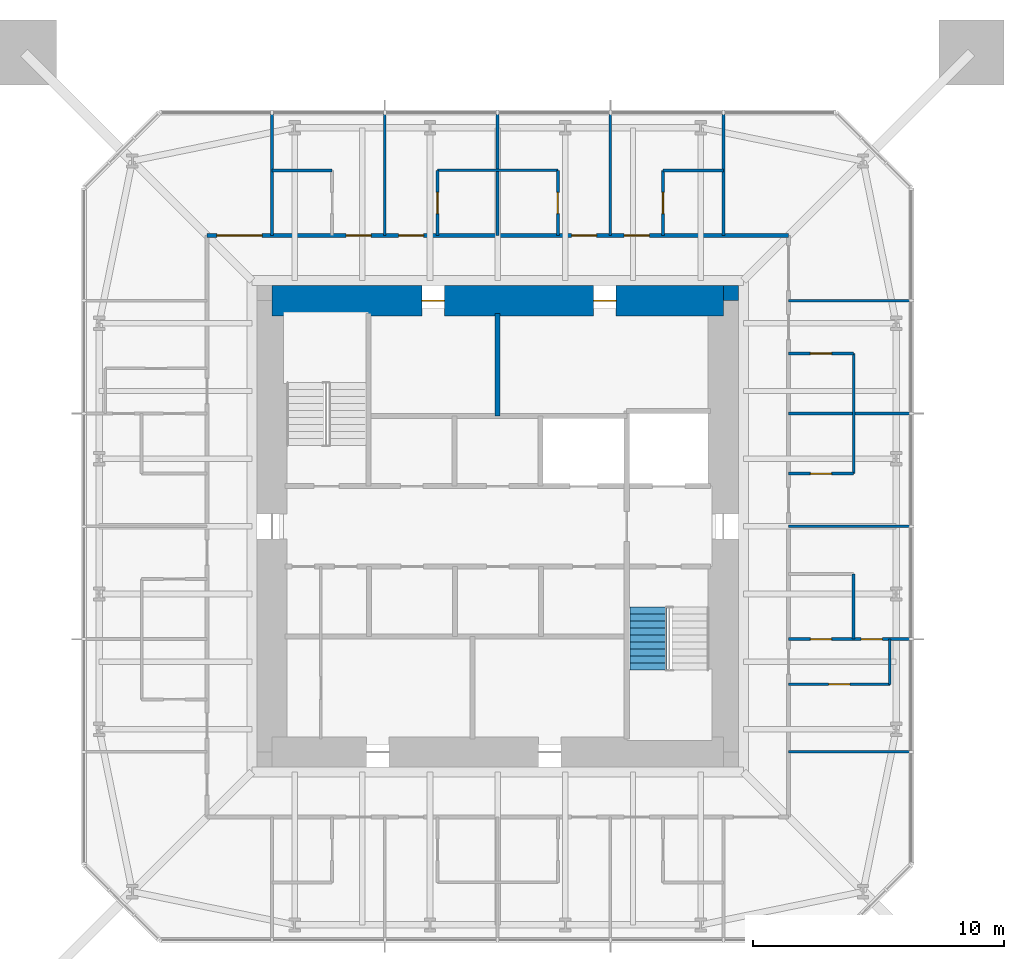
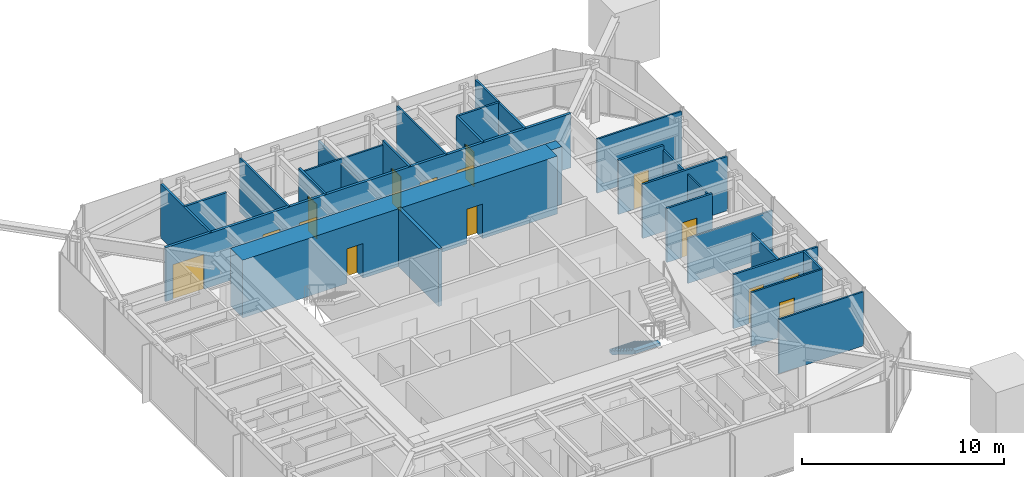
# One storey, part 8 of 10: 26 walls, 15 doors, 1 stair flight, 15 openings, 1 element without a shape of its own.
"""IFC4 building model written with IfcOpenShell, lengths in metres."""

from ifc_helpers import new_model, si_unit, direction, frame, frame_2d, origin, place, context, subcontext, project, spatial, polyline, rectangle, outline, extrude, material, layer, layer_set, constituent, constituent_set, type_object, element, fill, aggregate, save


model = new_model("IFC4")

# Units and contexts
model_context = context("Model", 3, precision=1e-05, world=origin(), true_north=direction((0.0, 1.0)))
body_context = subcontext(model_context, "Body", "Model", "MODEL_VIEW")
ifc_project = project(units=[si_unit("LENGTHUNIT", "METRE"), si_unit("AREAUNIT", "SQUARE_METRE"), si_unit("VOLUMEUNIT", "CUBIC_METRE"), si_unit("PLANEANGLEUNIT", "RADIAN"), si_unit("MASSUNIT", "GRAM", prefix="KILO")], contexts=[model_context])

# Site, building, storey
site_placement = place(None, origin())
site = spatial("IfcSite", under=ifc_project, at=site_placement, CompositionType="ELEMENT")
building_placement = place(site_placement, origin())
building = spatial("IfcBuilding", under=site, at=building_placement, Name="Iwan Alto Co-Living Towers", CompositionType="ELEMENT")
storey_placement = place(building_placement, frame((0.0, 0.0, 218.5)))
storey = spatial("IfcBuildingStorey", under=building, at=storey_placement, Name="L59", CompositionType="ELEMENT", Elevation=218.5)

# Wall, openings, doors
ifc_material_1 = material(Name="Gypsum board")
ifc_layer_1 = layer(ifc_material_1, 0.02490234375, Name="Board", Category="Finish")
ifc_material_2 = material(Name="Steel ASTM A1003 ST33H cold-formed studs", Category="steel")
ifc_layer_2 = layer(ifc_material_2, 0.10009765625, Name="Studs", Category="Framing")
ifc_layer_3 = layer(ifc_material_1, 0.02490234375, Name="Board", Category="Finish")
ifc_layer_set_1 = layer_set([ifc_layer_1, ifc_layer_2, ifc_layer_3], Name="CORRIDOR WALL 150")
wall_type_1 = type_object("IfcWallType", Name="CORRIDOR WALL 150", PredefinedType="PARTITIONING", material=ifc_layer_set_1)
wall_1_placement = place(storey_placement, frame((-11.60009765625, 11.60009765625, 0.0), z_axis=(0.0, 0.0, 1.0), x_axis=(1.0, 0.0, 0.0)))
wall_1 = element("IfcWall", 1, at=wall_1_placement, inside=storey, type_object=wall_type_1, Name="Partition L59", PredefinedType="PARTITIONING", context=body_context, shape_type="SweptSolid", body=[
    extrude(rectangle(XDim=23.2001953125, YDim=0.14990234375, at=frame_2d((11.60009765625, 0.0))), origin(), (0.0, 0.0, 1.0), 3.27001953125),
])
opening_1_placement = place(wall_1_placement, frame((16.64990234375, 0.0, 0.0)))
opening_1 = element("IfcOpeningElement", 2, at=opening_1_placement, cuts=wall_1, Name="Opening D3", PredefinedType="OPENING", context=body_context, shape_type="SweptSolid", body=[
    extrude(rectangle(XDim=1.0, YDim=2.10009765625, at=frame_2d((0.5, 1.050048828125))), frame((0.0, 0.0849609375, 0.0), z_axis=(0.0, -1.0, 0.0), x_axis=(1.0, 0.0, 0.0)), (0.0, 0.0, 1.0), 0.169921875),
])
opening_2_placement = place(wall_1_placement, frame((14.550048828125, 0.0, 0.0)))
opening_2 = element("IfcOpeningElement", 3, at=opening_2_placement, cuts=wall_1, Name="Opening D3", PredefinedType="OPENING", context=body_context, shape_type="SweptSolid", body=[
    extrude(rectangle(XDim=1.0, YDim=2.10009765625, at=frame_2d((0.5, 1.050048828125))), frame((0.0, 0.0849609375, 0.0), z_axis=(0.0, -1.0, 0.0), x_axis=(1.0, 0.0, 0.0)), (0.0, 0.0, 1.0), 0.169921875),
])
opening_3_placement = place(wall_1_placement, frame((7.64990234375, 0.0, 0.0)))
opening_3 = element("IfcOpeningElement", 4, at=opening_3_placement, cuts=wall_1, Name="Opening D3", PredefinedType="OPENING", context=body_context, shape_type="SweptSolid", body=[
    extrude(rectangle(XDim=1.0, YDim=2.10009765625, at=frame_2d((0.5, 1.050048828125))), frame((0.0, 0.0849609375, 0.0), z_axis=(0.0, -1.0, 0.0), x_axis=(1.0, 0.0, 0.0)), (0.0, 0.0, 1.0), 0.169921875),
])
opening_4_placement = place(wall_1_placement, frame((5.550048828125, 0.0, 0.0)))
opening_4 = element("IfcOpeningElement", 5, at=opening_4_placement, cuts=wall_1, Name="Opening D3", PredefinedType="OPENING", context=body_context, shape_type="SweptSolid", body=[
    extrude(rectangle(XDim=1.0, YDim=2.10009765625, at=frame_2d((0.5, 1.050048828125))), frame((0.0, 0.0849609375, 0.0), z_axis=(0.0, -1.0, 0.0), x_axis=(1.0, 0.0, 0.0)), (0.0, 0.0, 1.0), 0.169921875),
])
opening_5_placement = place(wall_1_placement, frame((0.39990234375, 0.0, 0.0)))
opening_5 = element("IfcOpeningElement", 6, at=opening_5_placement, cuts=wall_1, Name="Opening D9", PredefinedType="OPENING", context=body_context, shape_type="SweptSolid", body=[
    extrude(rectangle(XDim=1.800048828125, YDim=2.10009765625, at=frame_2d((0.89990234375, 1.050048828125))), frame((0.0, 0.0849609375, 0.0), z_axis=(0.0, -1.0, 0.0), x_axis=(1.0, 0.0, 0.0)), (0.0, 0.0, 1.0), 0.169921875),
])
ifc_material_3 = material(Name="Steel frame with timber leaf", Category="steel")
door_type_1 = type_object("IfcDoorType", Name="FLAT ENTRANCE DOOR FD30S 1000X2100", OperationType="SINGLE_SWING_LEFT", PredefinedType="DOOR", material=ifc_material_3)
door_1_placement = place(opening_1_placement, origin())
door_1 = element("IfcDoor", 7, at=door_1_placement, inside=storey, type_object=door_type_1, Name="Studio door L59", OperationType="SINGLE_SWING_LEFT", OverallHeight=2.10009765625, OverallWidth=1.0, PredefinedType="DOOR", context=body_context, shape_type="SweptSolid", body=[
    extrude(rectangle(XDim=1.0, YDim=2.10009765625, at=frame_2d((0.5, 1.050048828125))), frame((0.0, 0.02490234375, 0.0), z_axis=(0.0, -1.0, 0.0), x_axis=(1.0, 0.0, 0.0)), (0.0, 0.0, 1.0), 0.050048828125),
])
fill(opening_1, door_1)
door_2_placement = place(opening_2_placement, origin())
door_2 = element("IfcDoor", 8, at=door_2_placement, inside=storey, type_object=door_type_1, Name="Studio door L59", OperationType="SINGLE_SWING_LEFT", OverallHeight=2.10009765625, OverallWidth=1.0, PredefinedType="DOOR", context=body_context, shape_type="SweptSolid", body=[
    extrude(rectangle(XDim=1.0, YDim=2.10009765625, at=frame_2d((0.5, 1.050048828125))), frame((0.0, 0.02490234375, 0.0), z_axis=(0.0, -1.0, 0.0), x_axis=(1.0, 0.0, 0.0)), (0.0, 0.0, 1.0), 0.050048828125),
])
fill(opening_2, door_2)
door_3_placement = place(opening_3_placement, origin())
door_3 = element("IfcDoor", 9, at=door_3_placement, inside=storey, type_object=door_type_1, Name="Studio door L59", OperationType="SINGLE_SWING_LEFT", OverallHeight=2.10009765625, OverallWidth=1.0, PredefinedType="DOOR", context=body_context, shape_type="SweptSolid", body=[
    extrude(rectangle(XDim=1.0, YDim=2.10009765625, at=frame_2d((0.5, 1.050048828125))), frame((0.0, 0.02490234375, 0.0), z_axis=(0.0, -1.0, 0.0), x_axis=(1.0, 0.0, 0.0)), (0.0, 0.0, 1.0), 0.050048828125),
])
fill(opening_3, door_3)
door_4_placement = place(opening_4_placement, origin())
door_4 = element("IfcDoor", 10, at=door_4_placement, inside=storey, type_object=door_type_1, Name="Studio door L59", OperationType="SINGLE_SWING_LEFT", OverallHeight=2.10009765625, OverallWidth=1.0, PredefinedType="DOOR", context=body_context, shape_type="SweptSolid", body=[
    extrude(rectangle(XDim=1.0, YDim=2.10009765625, at=frame_2d((0.5, 1.050048828125))), frame((0.0, 0.02490234375, 0.0), z_axis=(0.0, -1.0, 0.0), x_axis=(1.0, 0.0, 0.0)), (0.0, 0.0, 1.0), 0.050048828125),
])
fill(opening_4, door_4)
ifc_material_4 = material(Name="Steel frame with timber leaf", Category="steel")
door_type_2 = type_object("IfcDoorType", Name="LOUNGE DOOR FD30S 1800X2100", OperationType="DOUBLE_DOOR_SINGLE_SWING", PredefinedType="DOOR", material=ifc_material_4)
door_5_placement = place(opening_5_placement, origin())
door_5 = element("IfcDoor", 11, at=door_5_placement, inside=storey, type_object=door_type_2, Name="Courtyard lounge door L59", OperationType="DOUBLE_DOOR_SINGLE_SWING", OverallHeight=2.10009765625, OverallWidth=1.800048828125, PredefinedType="DOOR", context=body_context, shape_type="SweptSolid", body=[
    extrude(rectangle(XDim=1.800048828125, YDim=2.10009765625, at=frame_2d((0.89990234375, 1.050048828125))), frame((0.0, 0.02490234375, 0.0), z_axis=(0.0, -1.0, 0.0), x_axis=(1.0, 0.0, 0.0)), (0.0, 0.0, 1.0), 0.050048828125),
])
fill(opening_5, door_5)

# Wall
ifc_layer_4 = layer(ifc_material_1, 0.012451171875, Name="Board", Category="Finish")
ifc_layer_5 = layer(ifc_material_2, 0.074951171875, Name="Studs", Category="Framing")
ifc_layer_6 = layer(ifc_material_1, 0.012451171875, Name="Board", Category="Finish")
ifc_layer_set_2 = layer_set([ifc_layer_4, ifc_layer_5, ifc_layer_6], Name="PARTITION 100")
wall_type_2 = type_object("IfcWallType", Name="PARTITION 100", PredefinedType="PARTITIONING", material=ifc_layer_set_2)
wall_2_placement = place(storey_placement, frame((11.60009765625, -9.0, 0.0), z_axis=(0.0, 0.0, 1.0), x_axis=(1.0, 0.0, 0.0)))
element("IfcWall", 12, at=wall_2_placement, inside=storey, type_object=wall_type_2, Name="Partition L59", PredefinedType="PARTITIONING", context=body_context, shape_type="SweptSolid", body=[
    extrude(rectangle(XDim=4.83984375, YDim=0.10009765625, at=frame_2d((2.419921875, 0.0))), origin(), (0.0, 0.0, 1.0), 3.27001953125),
])

# Wall, opening, door
wall_3_placement = place(storey_placement, frame((11.60009765625, -6.300048828125, 0.0), z_axis=(0.0, 0.0, 1.0), x_axis=(1.0, 0.0, 0.0)))
wall_3 = element("IfcWall", 13, at=wall_3_placement, inside=storey, type_object=wall_type_2, Name="Partition L59", PredefinedType="PARTITIONING", context=body_context, shape_type="SweptSolid", body=[
    extrude(rectangle(XDim=4.0498046875, YDim=0.10009765625, at=frame_2d((2.02490234375, 0.0))), origin(), (0.0, 0.0, 1.0), 3.27001953125),
])
opening_6_placement = place(wall_3_placement, frame((1.60009765625, 0.0, 0.0)))
opening_6 = element("IfcOpeningElement", 14, at=opening_6_placement, cuts=wall_3, Name="Opening D2", PredefinedType="OPENING", context=body_context, shape_type="SweptSolid", body=[
    extrude(rectangle(XDim=0.85009765625, YDim=2.10009765625, at=frame_2d((0.425048828125, 1.050048828125))), frame((0.0, 0.06005859375, 0.0), z_axis=(0.0, -1.0, 0.0), x_axis=(1.0, 0.0, 0.0)), (0.0, 0.0, 1.0), 0.1201171875),
])
ifc_material_5 = material(Name="Timber leaf in steel frame", Category="steel")
door_type_3 = type_object("IfcDoorType", Name="ROOM DOOR 850X2100", OperationType="SINGLE_SWING_LEFT", PredefinedType="DOOR", material=ifc_material_5)
door_6_placement = place(opening_6_placement, frame((0.85009765625, 0.0, 0.0), z_axis=(0.0, 0.0, 1.0), x_axis=(-1.0, 0.0, 0.0)))
door_6 = element("IfcDoor", 15, at=door_6_placement, inside=storey, type_object=door_type_3, Name="Apartment foyer door L59", OperationType="SINGLE_SWING_RIGHT", OverallHeight=2.10009765625, OverallWidth=0.85009765625, PredefinedType="DOOR", context=body_context, shape_type="SweptSolid", body=[
    extrude(rectangle(XDim=0.85009765625, YDim=2.10009765625, at=frame_2d((0.425048828125, 1.050048828125))), frame((0.0, 0.02490234375, 0.0), z_axis=(0.0, -1.0, 0.0), x_axis=(1.0, 0.0, 0.0)), (0.0, 0.0, 1.0), 0.050048828125),
])
fill(opening_6, door_6)

# Walls
wall_4_placement = place(storey_placement, frame((11.60009765625, 0.0, 0.0), z_axis=(0.0, 0.0, 1.0), x_axis=(1.0, 0.0, 0.0)))
element("IfcWall", 16, at=wall_4_placement, inside=storey, type_object=wall_type_2, Name="Partition L59", PredefinedType="PARTITIONING", context=body_context, shape_type="SweptSolid", body=[
    extrude(rectangle(XDim=4.83984375, YDim=0.10009765625, at=frame_2d((2.419921875, 0.0))), origin(), (0.0, 0.0, 1.0), 2.736572265625),
])
wall_5_placement = place(storey_placement, frame((11.60009765625, 9.0, 0.0), z_axis=(0.0, 0.0, 1.0), x_axis=(1.0, 0.0, 0.0)))
element("IfcWall", 17, at=wall_5_placement, inside=storey, type_object=wall_type_2, Name="Partition L59", PredefinedType="PARTITIONING", context=body_context, shape_type="SweptSolid", body=[
    extrude(rectangle(XDim=4.83984375, YDim=0.10009765625, at=frame_2d((2.419921875, 0.0))), origin(), (0.0, 0.0, 1.0), 3.27001953125),
])
wall_6_placement = place(storey_placement, frame((-2.39990234375, 14.199951171875, 0.0), z_axis=(0.0, 0.0, 1.0), x_axis=(1.0, 0.0, 0.0)))
element("IfcWall", 18, at=wall_6_placement, inside=storey, type_object=wall_type_2, Name="Partition L59", PredefinedType="PARTITIONING", context=body_context, shape_type="SweptSolid", body=[
    extrude(rectangle(XDim=4.7998046875, YDim=0.10009765625, at=frame_2d((2.39990234375, 0.0))), origin(), (0.0, 0.0, 1.0), 3.0),
])
wall_7_placement = place(storey_placement, frame((15.64990234375, -6.300048828125, 0.0), z_axis=(0.0, 0.0, 1.0), x_axis=(0.0, 1.0, 0.0)))
element("IfcWall", 19, at=wall_7_placement, inside=storey, type_object=wall_type_2, Name="Partition L59", PredefinedType="PARTITIONING", context=body_context, shape_type="SweptSolid", body=[
    extrude(rectangle(XDim=1.800048828125, YDim=0.10009765625, at=frame_2d((0.89990234375, 0.0))), origin(), (0.0, 0.0, 1.0), 3.27001953125),
])
wall_8_placement = place(storey_placement, frame((14.199951171875, 2.10009765625, 0.0), z_axis=(0.0, 0.0, 1.0), x_axis=(0.0, 1.0, 0.0)))
element("IfcWall", 20, at=wall_8_placement, inside=storey, type_object=wall_type_2, Name="Partition L59", PredefinedType="PARTITIONING", context=body_context, shape_type="SweptSolid", body=[
    extrude(rectangle(XDim=4.7998046875, YDim=0.10009765625, at=frame_2d((2.39990234375, 0.0))), origin(), (0.0, 0.0, 1.0), 3.0),
])
for number, where, z_axis, x_axis, name in (
    (21, (4.5, 11.60009765625, 0.0), (0.0, 0.0, 1.0), (0.0, 1.0, 0.0), "Partition L59"),
    (22, (-4.5, 11.60009765625, 0.0), (0.0, 0.0, 1.0), (0.0, 1.0, 0.0), "Partition L59"),
):
    element("IfcWall", number, at=place(storey_placement, frame(where, z_axis=z_axis, x_axis=x_axis)), inside=storey, type_object=wall_type_2, Name=name, PredefinedType="PARTITIONING", context=body_context, shape_type="SweptSolid", body=[
        extrude(rectangle(XDim=4.83984375, YDim=0.10009765625, at=frame_2d((2.419921875, 0.0))), origin(), (0.0, 0.0, 1.0), 3.27001953125),
    ])
ifc_material_6 = material(Name="Concrete f'c 70 MPa", Category="concrete")
ifc_layer_7 = layer(ifc_material_6, 0.199951171875)
ifc_layer_set_3 = layer_set([ifc_layer_7], Name="SHAFT WALL 200")
wall_type_3 = type_object("IfcWallType", Name="SHAFT WALL 200", PredefinedType="SOLIDWALL", material=ifc_layer_set_3)
wall_9_placement = place(storey_placement, frame((0.0, 4.39990234375, 0.0), z_axis=(0.0, 0.0, 1.0), x_axis=(0.0, 1.0, 0.0)))
element("IfcWall", 23, at=wall_9_placement, inside=storey, type_object=wall_type_3, Name="Shaft wall L59", PredefinedType="SOLIDWALL", context=body_context, shape_type="SweptSolid", body=[
    extrude(rectangle(XDim=4.090087890625, YDim=0.199951171875, at=frame_2d((2.044921875, 0.0))), origin(), (0.0, 0.0, 1.0), 3.5),
])
ifc_material_7 = material(Name="Concrete f'c 70 MPa", Category="concrete")
ifc_layer_8 = layer(ifc_material_7, 0.60009765625)
ifc_layer_set_4 = layer_set([ifc_layer_8], Name="T1 CORE CORNER FILL 600")
wall_type_4 = type_object("IfcWallType", Name="T1 CORE CORNER FILL 600", PredefinedType="SOLIDWALL", material=ifc_layer_set_4)
wall_10_placement = place(storey_placement, frame((9.0, 9.300048828125, 0.0), z_axis=(0.0, 0.0, 1.0), x_axis=(1.0, 0.0, 0.0)))
element("IfcWall", 24, at=wall_10_placement, inside=storey, type_object=wall_type_4, Name="T1 core corner NE L59", PredefinedType="SOLIDWALL", context=body_context, shape_type="SweptSolid", body=[
    extrude(rectangle(XDim=0.60009765625, YDim=0.60009765625, at=frame_2d((0.300048828125, 0.0))), origin(), (0.0, 0.0, 1.0), 3.5),
])

# Wall, openings, doors
ifc_material_8 = material(Name="Concrete f'c 70 MPa", Category="concrete")
ifc_layer_9 = layer(ifc_material_8, 1.199951171875)
ifc_layer_set_5 = layer_set([ifc_layer_9], Name="T1 CORE WALL 1200")
wall_type_5 = type_object("IfcWallType", Name="T1 CORE WALL 1200", PredefinedType="SHEAR", material=ifc_layer_set_5)
wall_11_placement = place(storey_placement, frame((9.0, 9.0, 0.0), z_axis=(0.0, 0.0, 1.0), x_axis=(-1.0, 0.0, 0.0)))
wall_11 = element("IfcWall", 25, at=wall_11_placement, inside=storey, type_object=wall_type_5, Name="T1 core wall N L59", PredefinedType="SHEAR", context=body_context, shape_type="SweptSolid", body=[
    extrude(rectangle(XDim=18.0, YDim=1.199951171875, at=frame_2d((9.0, 0.0))), origin(), (0.0, 0.0, 1.0), 3.5),
])
opening_7_placement = place(wall_11_placement, frame((11.125, 0.0, 0.0)))
opening_7 = element("IfcOpeningElement", 26, at=opening_7_placement, cuts=wall_11, Name="Opening D8", PredefinedType="OPENING", context=body_context, shape_type="SweptSolid", body=[
    extrude(rectangle(XDim=0.89990234375, YDim=2.10009765625, at=frame_2d((0.449951171875, 1.050048828125))), frame((0.0, 0.60986328125, 0.0), z_axis=(0.0, -1.0, 0.0), x_axis=(1.0, 0.0, 0.0)), (0.0, 0.0, 1.0), 1.219970703125),
])
opening_8_placement = place(wall_11_placement, frame((4.27490234375, 0.0, 0.0)))
opening_8 = element("IfcOpeningElement", 27, at=opening_8_placement, cuts=wall_11, Name="Opening D8", PredefinedType="OPENING", context=body_context, shape_type="SweptSolid", body=[
    extrude(rectangle(XDim=0.89990234375, YDim=2.10009765625, at=frame_2d((0.449951171875, 1.050048828125))), frame((0.0, 0.60986328125, 0.0), z_axis=(0.0, -1.0, 0.0), x_axis=(1.0, 0.0, 0.0)), (0.0, 0.0, 1.0), 1.219970703125),
])
ifc_material_9 = material(Name="Steel frame with timber leaf", Category="steel")
door_type_4 = type_object("IfcDoorType", Name="RISER DOOR FD120 900X2100", OperationType="SINGLE_SWING_LEFT", PredefinedType="DOOR", material=ifc_material_9)
door_7_placement = place(opening_7_placement, origin())
door_7 = element("IfcDoor", 28, at=door_7_placement, inside=storey, type_object=door_type_4, Name="Electrical riser core door L59", OperationType="SINGLE_SWING_RIGHT", OverallHeight=2.10009765625, OverallWidth=0.89990234375, PredefinedType="DOOR", context=body_context, shape_type="SweptSolid", body=[
    extrude(rectangle(XDim=0.89990234375, YDim=2.10009765625, at=frame_2d((0.449951171875, 1.050048828125))), frame((0.0, 0.02490234375, 0.0), z_axis=(0.0, -1.0, 0.0), x_axis=(1.0, 0.0, 0.0)), (0.0, 0.0, 1.0), 0.050048828125),
])
fill(opening_7, door_7)
door_8_placement = place(opening_8_placement, origin())
door_8 = element("IfcDoor", 29, at=door_8_placement, inside=storey, type_object=door_type_4, Name="Water and drainage riser core door L59", OperationType="SINGLE_SWING_RIGHT", OverallHeight=2.10009765625, OverallWidth=0.89990234375, PredefinedType="DOOR", context=body_context, shape_type="SweptSolid", body=[
    extrude(rectangle(XDim=0.89990234375, YDim=2.10009765625, at=frame_2d((0.449951171875, 1.050048828125))), frame((0.0, 0.02490234375, 0.0), z_axis=(0.0, -1.0, 0.0), x_axis=(1.0, 0.0, 0.0)), (0.0, 0.0, 1.0), 0.050048828125),
])
fill(opening_8, door_8)

ifc_material_10 = material(Name="Cement board")
ifc_layer_10 = layer(ifc_material_10, 0.012451171875, Name="Board", Category="Finish")
ifc_layer_11 = layer(ifc_material_2, 0.094970703125, Name="Studs", Category="Framing")
ifc_layer_12 = layer(ifc_material_10, 0.012451171875, Name="Board", Category="Finish")
ifc_layer_set_6 = layer_set([ifc_layer_10, ifc_layer_11, ifc_layer_12], Name="WET AREA PARTITION 120")
wall_type_6 = type_object("IfcWallType", Name="WET AREA PARTITION 120", PredefinedType="PARTITIONING", material=ifc_layer_set_6)
wall_12_placement = place(storey_placement, frame((11.60009765625, -4.5, 0.0), z_axis=(0.0, 0.0, 1.0), x_axis=(1.0, 0.0, 0.0)))
wall_12 = element("IfcWall", 30, at=wall_12_placement, inside=storey, type_object=wall_type_6, Name="Partition L59", PredefinedType="PARTITIONING", context=body_context, shape_type="SweptSolid", body=[
    extrude(rectangle(XDim=4.83984375, YDim=0.1201171875, at=frame_2d((2.419921875, 0.0))), origin(), (0.0, 0.0, 1.0), 3.27001953125),
])
opening_9_placement = place(wall_12_placement, frame((2.89990234375, 0.0, 0.0)))
opening_9 = element("IfcOpeningElement", 31, at=opening_9_placement, cuts=wall_12, Name="Opening D2", PredefinedType="OPENING", context=body_context, shape_type="SweptSolid", body=[
    extrude(rectangle(XDim=0.85009765625, YDim=2.10009765625, at=frame_2d((0.425048828125, 1.050048828125))), frame((0.0, 0.070068359375, 0.0), z_axis=(0.0, -1.0, 0.0), x_axis=(1.0, 0.0, 0.0)), (0.0, 0.0, 1.0), 0.14013671875),
])
opening_10_placement = place(wall_12_placement, frame((0.875, 0.0, 0.0)))
opening_10 = element("IfcOpeningElement", 32, at=opening_10_placement, cuts=wall_12, Name="Opening D2", PredefinedType="OPENING", context=body_context, shape_type="SweptSolid", body=[
    extrude(rectangle(XDim=0.85009765625, YDim=2.10009765625, at=frame_2d((0.425048828125, 1.050048828125))), frame((0.0, 0.070068359375, 0.0), z_axis=(0.0, -1.0, 0.0), x_axis=(1.0, 0.0, 0.0)), (0.0, 0.0, 1.0), 0.14013671875),
])
door_9_placement = place(opening_9_placement, origin())
door_9 = element("IfcDoor", 33, at=door_9_placement, inside=storey, type_object=door_type_3, Name="Bedroom door L59", OperationType="SINGLE_SWING_LEFT", OverallHeight=2.10009765625, OverallWidth=0.85009765625, PredefinedType="DOOR", context=body_context, shape_type="SweptSolid", body=[
    extrude(rectangle(XDim=0.85009765625, YDim=2.10009765625, at=frame_2d((0.425048828125, 1.050048828125))), frame((0.0, 0.02490234375, 0.0), z_axis=(0.0, -1.0, 0.0), x_axis=(1.0, 0.0, 0.0)), (0.0, 0.0, 1.0), 0.050048828125),
])
fill(opening_9, door_9)
door_10_placement = place(opening_10_placement, origin())
door_10 = element("IfcDoor", 34, at=door_10_placement, inside=storey, type_object=door_type_3, Name="Accessible bathroom door L59", OperationType="SINGLE_SWING_LEFT", OverallHeight=2.10009765625, OverallWidth=0.85009765625, PredefinedType="DOOR", context=body_context, shape_type="SweptSolid", body=[
    extrude(rectangle(XDim=0.85009765625, YDim=2.10009765625, at=frame_2d((0.425048828125, 1.050048828125))), frame((0.0, 0.02490234375, 0.0), z_axis=(0.0, -1.0, 0.0), x_axis=(1.0, 0.0, 0.0)), (0.0, 0.0, 1.0), 0.050048828125),
])
fill(opening_10, door_10)

# Wall, opening, door
wall_13_placement = place(storey_placement, frame((11.60009765625, 2.10009765625, 0.0), z_axis=(0.0, 0.0, 1.0), x_axis=(1.0, 0.0, 0.0)))
wall_13 = element("IfcWall", 35, at=wall_13_placement, inside=storey, type_object=wall_type_6, Name="Partition L59", PredefinedType="PARTITIONING", context=body_context, shape_type="SweptSolid", body=[
    extrude(rectangle(XDim=2.599853515625, YDim=0.1201171875, at=frame_2d((1.2998046875, 0.0))), origin(), (0.0, 0.0, 1.0), 3.27001953125),
])
opening_11_placement = place(wall_13_placement, frame((0.875, 0.0, 0.0)))
opening_11 = element("IfcOpeningElement", 36, at=opening_11_placement, cuts=wall_13, Name="Opening D2", PredefinedType="OPENING", context=body_context, shape_type="SweptSolid", body=[
    extrude(rectangle(XDim=0.85009765625, YDim=2.10009765625, at=frame_2d((0.425048828125, 1.050048828125))), frame((0.0, 0.070068359375, 0.0), z_axis=(0.0, -1.0, 0.0), x_axis=(1.0, 0.0, 0.0)), (0.0, 0.0, 1.0), 0.14013671875),
])
door_11_placement = place(opening_11_placement, frame((0.85009765625, 0.0, 0.0), z_axis=(0.0, 0.0, 1.0), x_axis=(-1.0, 0.0, 0.0)))
door_11 = element("IfcDoor", 37, at=door_11_placement, inside=storey, type_object=door_type_3, Name="En-suite shower room door L59", OperationType="SINGLE_SWING_RIGHT", OverallHeight=2.10009765625, OverallWidth=0.85009765625, PredefinedType="DOOR", context=body_context, shape_type="SweptSolid", body=[
    extrude(rectangle(XDim=0.85009765625, YDim=2.10009765625, at=frame_2d((0.425048828125, 1.050048828125))), frame((0.0, 0.02490234375, 0.0), z_axis=(0.0, -1.0, 0.0), x_axis=(1.0, 0.0, 0.0)), (0.0, 0.0, 1.0), 0.050048828125),
])
fill(opening_11, door_11)

# Wall
wall_14_placement = place(storey_placement, frame((11.60009765625, 4.5, 0.0), z_axis=(0.0, 0.0, 1.0), x_axis=(1.0, 0.0, 0.0)))
element("IfcWall", 38, at=wall_14_placement, inside=storey, type_object=wall_type_6, Name="Partition L59", PredefinedType="PARTITIONING", context=body_context, shape_type="SweptSolid", body=[
    extrude(rectangle(XDim=4.83984375, YDim=0.1201171875, at=frame_2d((2.419921875, 0.0))), origin(), (0.0, 0.0, 1.0), 3.27001953125),
])

# Wall, opening, door
wall_15_placement = place(storey_placement, frame((11.60009765625, 6.89990234375, 0.0), z_axis=(0.0, 0.0, 1.0), x_axis=(1.0, 0.0, 0.0)))
wall_15 = element("IfcWall", 39, at=wall_15_placement, inside=storey, type_object=wall_type_6, Name="Partition L59", PredefinedType="PARTITIONING", context=body_context, shape_type="SweptSolid", body=[
    extrude(rectangle(XDim=2.599853515625, YDim=0.1201171875, at=frame_2d((1.2998046875, 0.0))), origin(), (0.0, 0.0, 1.0), 3.27001953125),
])
opening_12_placement = place(wall_15_placement, frame((0.875, 0.0, 0.0)))
opening_12 = element("IfcOpeningElement", 40, at=opening_12_placement, cuts=wall_15, Name="Opening D2", PredefinedType="OPENING", context=body_context, shape_type="SweptSolid", body=[
    extrude(rectangle(XDim=0.85009765625, YDim=2.10009765625, at=frame_2d((0.425048828125, 1.050048828125))), frame((0.0, 0.070068359375, 0.0), z_axis=(0.0, -1.0, 0.0), x_axis=(1.0, 0.0, 0.0)), (0.0, 0.0, 1.0), 0.14013671875),
])
door_12_placement = place(opening_12_placement, origin())
door_12 = element("IfcDoor", 41, at=door_12_placement, inside=storey, type_object=door_type_3, Name="En-suite shower room door L59", OperationType="SINGLE_SWING_LEFT", OverallHeight=2.10009765625, OverallWidth=0.85009765625, PredefinedType="DOOR", context=body_context, shape_type="SweptSolid", body=[
    extrude(rectangle(XDim=0.85009765625, YDim=2.10009765625, at=frame_2d((0.425048828125, 1.050048828125))), frame((0.0, 0.02490234375, 0.0), z_axis=(0.0, -1.0, 0.0), x_axis=(1.0, 0.0, 0.0)), (0.0, 0.0, 1.0), 0.050048828125),
])
fill(opening_12, door_12)

# Walls
for number, where, z_axis, x_axis, name in (
    (42, (-9.0, 14.199951171875, 0.0), (0.0, 0.0, 1.0), (1.0, 0.0, 0.0), "Partition L59"),
    (43, (6.60009765625, 14.199951171875, 0.0), (0.0, 0.0, 1.0), (1.0, 0.0, 0.0), "Partition L59"),
):
    element("IfcWall", number, at=place(storey_placement, frame(where, z_axis=z_axis, x_axis=x_axis)), inside=storey, type_object=wall_type_6, Name=name, PredefinedType="PARTITIONING", context=body_context, shape_type="SweptSolid", body=[
        extrude(rectangle(XDim=2.39990234375, YDim=0.1201171875, at=frame_2d((1.199951171875, 0.0))), origin(), (0.0, 0.0, 1.0), 3.27001953125),
    ])
wall_16_placement = place(storey_placement, frame((14.199951171875, -4.5, 0.0), z_axis=(0.0, 0.0, 1.0), x_axis=(0.0, 1.0, 0.0)))
element("IfcWall", 44, at=wall_16_placement, inside=storey, type_object=wall_type_6, Name="Partition L59", PredefinedType="PARTITIONING", context=body_context, shape_type="SweptSolid", body=[
    extrude(rectangle(XDim=2.60009765625, YDim=0.1201171875, at=frame_2d((1.300048828125, 0.0))), origin(), (0.0, 0.0, 1.0), 3.27001953125),
])
wall_17_placement = place(storey_placement, frame((9.0, 11.60009765625, 0.0), z_axis=(0.0, 0.0, 1.0), x_axis=(0.0, 1.0, 0.0)))
element("IfcWall", 45, at=wall_17_placement, inside=storey, type_object=wall_type_6, Name="Partition L59", PredefinedType="PARTITIONING", context=body_context, shape_type="SweptSolid", body=[
    extrude(rectangle(XDim=4.83984375, YDim=0.1201171875, at=frame_2d((2.419921875, 0.0))), origin(), (0.0, 0.0, 1.0), 3.27001953125),
])

# Wall, opening, door
wall_18_placement = place(storey_placement, frame((6.60009765625, 11.60009765625, 0.0), z_axis=(0.0, 0.0, 1.0), x_axis=(0.0, 1.0, 0.0)))
wall_18 = element("IfcWall", 46, at=wall_18_placement, inside=storey, type_object=wall_type_6, Name="Partition L59", PredefinedType="PARTITIONING", context=body_context, shape_type="SweptSolid", body=[
    extrude(rectangle(XDim=2.599853515625, YDim=0.1201171875, at=frame_2d((1.2998046875, 0.0))), origin(), (0.0, 0.0, 1.0), 3.27001953125),
])
opening_13_placement = place(wall_18_placement, frame((0.875, 0.0, 0.0)))
opening_13 = element("IfcOpeningElement", 47, at=opening_13_placement, cuts=wall_18, Name="Opening D2", PredefinedType="OPENING", context=body_context, shape_type="SweptSolid", body=[
    extrude(rectangle(XDim=0.85009765625, YDim=2.10009765625, at=frame_2d((0.425048828125, 1.050048828125))), frame((0.0, 0.070068359375, 0.0), z_axis=(0.0, -1.0, 0.0), x_axis=(1.0, 0.0, 0.0)), (0.0, 0.0, 1.0), 0.14013671875),
])
door_13_placement = place(opening_13_placement, origin())
door_13 = element("IfcDoor", 48, at=door_13_placement, inside=storey, type_object=door_type_3, Name="En-suite shower room door L59", OperationType="SINGLE_SWING_LEFT", OverallHeight=2.10009765625, OverallWidth=0.85009765625, PredefinedType="DOOR", context=body_context, shape_type="SweptSolid", body=[
    extrude(rectangle(XDim=0.85009765625, YDim=2.10009765625, at=frame_2d((0.425048828125, 1.050048828125))), frame((0.0, 0.02490234375, 0.0), z_axis=(0.0, -1.0, 0.0), x_axis=(1.0, 0.0, 0.0)), (0.0, 0.0, 1.0), 0.050048828125),
])
fill(opening_13, door_13)

wall_19_placement = place(storey_placement, frame((2.39990234375, 11.60009765625, 0.0), z_axis=(0.0, 0.0, 1.0), x_axis=(0.0, 1.0, 0.0)))
wall_19 = element("IfcWall", 49, at=wall_19_placement, inside=storey, type_object=wall_type_6, Name="Partition L59", PredefinedType="PARTITIONING", context=body_context, shape_type="SweptSolid", body=[
    extrude(rectangle(XDim=2.599853515625, YDim=0.1201171875, at=frame_2d((1.2998046875, 0.0))), origin(), (0.0, 0.0, 1.0), 3.27001953125),
])
opening_14_placement = place(wall_19_placement, frame((0.875, 0.0, 0.0)))
opening_14 = element("IfcOpeningElement", 50, at=opening_14_placement, cuts=wall_19, Name="Opening D2", PredefinedType="OPENING", context=body_context, shape_type="SweptSolid", body=[
    extrude(rectangle(XDim=0.85009765625, YDim=2.10009765625, at=frame_2d((0.425048828125, 1.050048828125))), frame((0.0, 0.070068359375, 0.0), z_axis=(0.0, -1.0, 0.0), x_axis=(1.0, 0.0, 0.0)), (0.0, 0.0, 1.0), 0.14013671875),
])
door_14_placement = place(opening_14_placement, frame((0.85009765625, 0.0, 0.0), z_axis=(0.0, 0.0, 1.0), x_axis=(-1.0, 0.0, 0.0)))
door_14 = element("IfcDoor", 51, at=door_14_placement, inside=storey, type_object=door_type_3, Name="En-suite shower room door L59", OperationType="SINGLE_SWING_RIGHT", OverallHeight=2.10009765625, OverallWidth=0.85009765625, PredefinedType="DOOR", context=body_context, shape_type="SweptSolid", body=[
    extrude(rectangle(XDim=0.85009765625, YDim=2.10009765625, at=frame_2d((0.425048828125, 1.050048828125))), frame((0.0, 0.02490234375, 0.0), z_axis=(0.0, -1.0, 0.0), x_axis=(1.0, 0.0, 0.0)), (0.0, 0.0, 1.0), 0.050048828125),
])
fill(opening_14, door_14)

# Wall
wall_20_placement = place(storey_placement, frame((0.0, 11.60009765625, 0.0), z_axis=(0.0, 0.0, 1.0), x_axis=(0.0, 1.0, 0.0)))
element("IfcWall", 52, at=wall_20_placement, inside=storey, type_object=wall_type_6, Name="Partition L59", PredefinedType="PARTITIONING", context=body_context, shape_type="SweptSolid", body=[
    extrude(rectangle(XDim=4.83984375, YDim=0.1201171875, at=frame_2d((2.419921875, 0.0))), origin(), (0.0, 0.0, 1.0), 2.736572265625),
])

# Wall, opening, door
wall_21_placement = place(storey_placement, frame((-2.39990234375, 11.60009765625, 0.0), z_axis=(0.0, 0.0, 1.0), x_axis=(0.0, 1.0, 0.0)))
wall_21 = element("IfcWall", 53, at=wall_21_placement, inside=storey, type_object=wall_type_6, Name="Partition L59", PredefinedType="PARTITIONING", context=body_context, shape_type="SweptSolid", body=[
    extrude(rectangle(XDim=2.599853515625, YDim=0.1201171875, at=frame_2d((1.2998046875, 0.0))), origin(), (0.0, 0.0, 1.0), 3.27001953125),
])
opening_15_placement = place(wall_21_placement, frame((0.875, 0.0, 0.0)))
opening_15 = element("IfcOpeningElement", 54, at=opening_15_placement, cuts=wall_21, Name="Opening D2", PredefinedType="OPENING", context=body_context, shape_type="SweptSolid", body=[
    extrude(rectangle(XDim=0.85009765625, YDim=2.10009765625, at=frame_2d((0.425048828125, 1.050048828125))), frame((0.0, 0.070068359375, 0.0), z_axis=(0.0, -1.0, 0.0), x_axis=(1.0, 0.0, 0.0)), (0.0, 0.0, 1.0), 0.14013671875),
])
door_15_placement = place(opening_15_placement, origin())
door_15 = element("IfcDoor", 55, at=door_15_placement, inside=storey, type_object=door_type_3, Name="En-suite shower room door L59", OperationType="SINGLE_SWING_LEFT", OverallHeight=2.10009765625, OverallWidth=0.85009765625, PredefinedType="DOOR", context=body_context, shape_type="SweptSolid", body=[
    extrude(rectangle(XDim=0.85009765625, YDim=2.10009765625, at=frame_2d((0.425048828125, 1.050048828125))), frame((0.0, 0.02490234375, 0.0), z_axis=(0.0, -1.0, 0.0), x_axis=(1.0, 0.0, 0.0)), (0.0, 0.0, 1.0), 0.050048828125),
])
fill(opening_15, door_15)

# Wall
wall_22_placement = place(storey_placement, frame((-9.0, 11.60009765625, 0.0), z_axis=(0.0, 0.0, 1.0), x_axis=(0.0, 1.0, 0.0)))
element("IfcWall", 56, at=wall_22_placement, inside=storey, type_object=wall_type_6, Name="Partition L59", PredefinedType="PARTITIONING", context=body_context, shape_type="SweptSolid", body=[
    extrude(rectangle(XDim=4.83984375, YDim=0.1201171875, at=frame_2d((2.419921875, 0.0))), origin(), (0.0, 0.0, 1.0), 3.27001953125),
])

# Stair, stair flight
ifc_material_11 = material(Name="Steel ASTM A36", Category="steel")
ifc_constituent_1 = constituent(ifc_material_11, Name="Stringers", Category="LoadBearing")
ifc_material_12 = material(Name="Concrete f'c 30 MPa", Category="concrete")
ifc_constituent_2 = constituent(ifc_material_12, Name="Tread fill", Category="Finish")
ifc_constituent_set_1 = constituent_set(constituents=[ifc_constituent_1, ifc_constituent_2], Name="STAIR 3500 TWO-FLIGHT T1 CORE")
stair_type = type_object("IfcStairType", Name="STAIR 3500 TWO-FLIGHT T1 CORE", PredefinedType="HALF_TURN_STAIR", material=ifc_constituent_set_1)
stair_placement = place(storey_placement, origin())
stair = element("IfcStair", 57, at=stair_placement, inside=storey, type_object=stair_type, Name="Stair T1-S2 L59 to L60", PredefinedType="HALF_TURN_STAIR")
ifc_constituent_3 = constituent(ifc_material_11, Name="Stringers", Category="LoadBearing")
ifc_constituent_4 = constituent(ifc_material_12, Name="Tread fill", Category="Finish")
ifc_constituent_set_2 = constituent_set(constituents=[ifc_constituent_3, ifc_constituent_4], Name="STAIR FLIGHT 10 RISERS 280 GOING")
stair_flight_type = type_object("IfcStairFlightType", Name="STAIR FLIGHT 10 RISERS 280 GOING", PredefinedType="STRAIGHT", material=ifc_constituent_set_2)
stair_flight_placement = place(storey_placement, frame((6.010009765625, -3.219970703125, 0.0), z_axis=(0.0, 0.0, 1.0), x_axis=(0.0, -1.0, 0.0)))
stair_flight = element("IfcStairFlight", 58, at=stair_flight_placement, type_object=stair_flight_type, Name="T1-S2 flight 1", NumberOfRisers=10, NumberOfTreads=9, PredefinedType="STRAIGHT", RiserHeight=0.175, TreadLength=0.28, context=body_context, shape_type="SweptSolid", body=[
    extrude(outline(polyline([(0.0, 0.0), (0.0, 0.175048828125), (0.280029296875, 0.175048828125), (0.280029296875, 0.35009765625), (0.56005859375, 0.35009765625), (0.56005859375, 0.52490234375), (0.840087890625, 0.52490234375), (0.840087890625, 0.699951171875), (1.1201171875, 0.699951171875), (1.1201171875, 0.875), (1.39990234375, 0.875), (1.39990234375, 1.050048828125), (1.679931640625, 1.050048828125), (1.679931640625, 1.22509765625), (1.9599609375, 1.22509765625), (1.9599609375, 1.39990234375), (2.239990234375, 1.39990234375), (2.239990234375, 1.574951171875), (2.52001953125, 1.574951171875), (2.52001953125, 1.75), (2.52001953125, 1.398193359375), (0.28271484375, 0.0), (0.0, 0.0)])), frame((0.0, 0.739990234375, 0.0), z_axis=(0.0, -1.0, 0.0), x_axis=(1.0, 0.0, 0.0)), (0.0, 0.0, 1.0), 1.47998046875),
])
aggregate(stair, [stair_flight])

save(model, "model.ifc")
